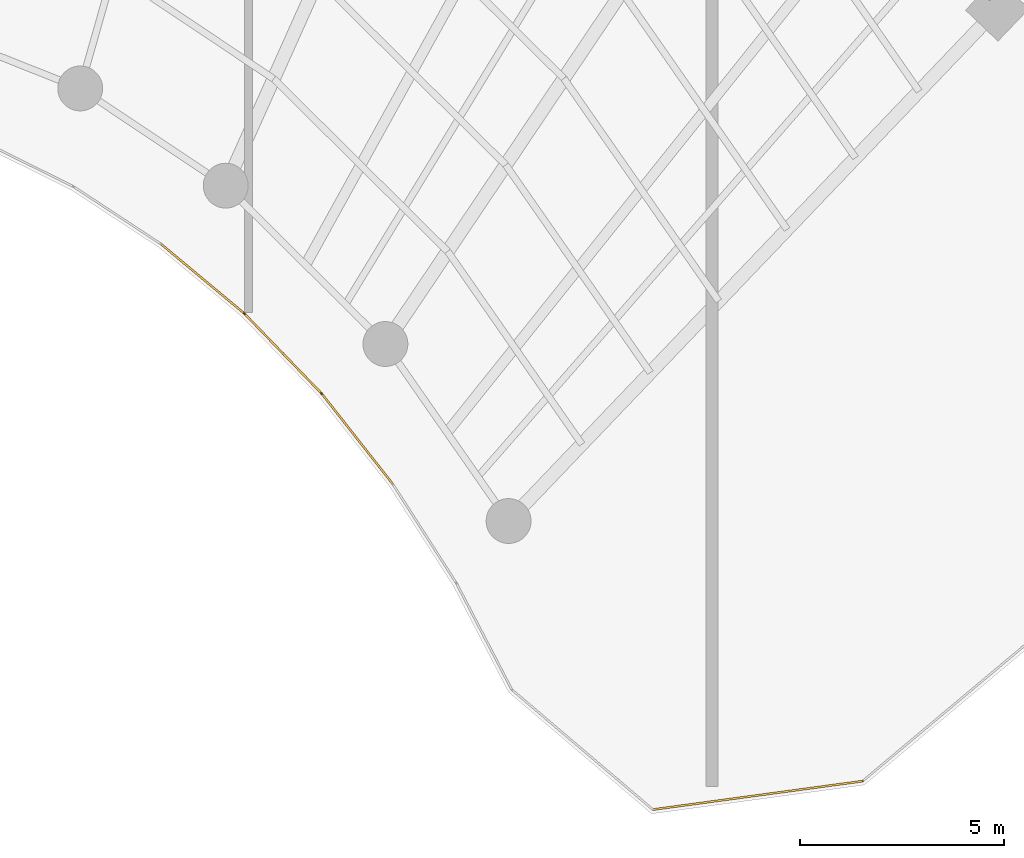
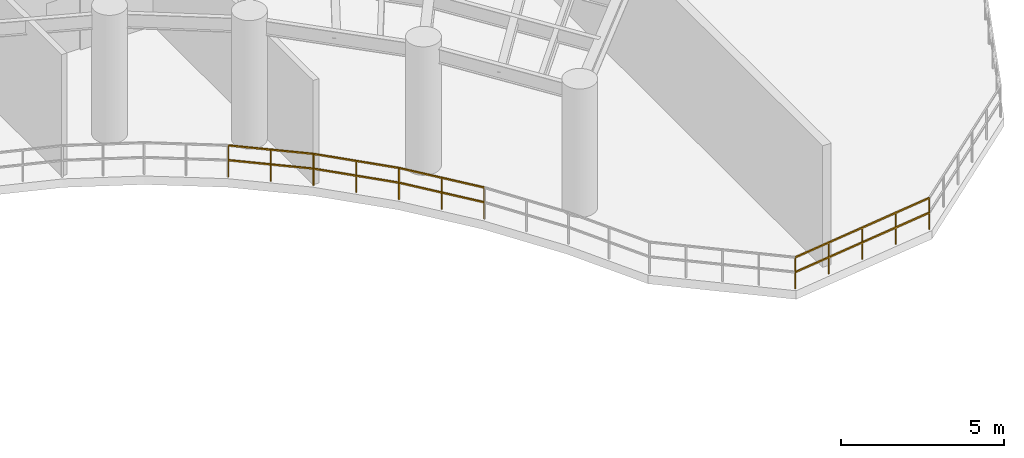
# One storey, part 15 of 19: 6 railings.
"""IFC4 building model written with IfcOpenShell, lengths in metres."""

from ifc_helpers import new_model, si_unit, direction, frame, origin, origin_2d, place, context, subcontext, project, spatial, rectangle, extrude, material, type_object, element, save


model = new_model("IFC4")

# Units and contexts
model_context = context("Model", 3, precision=1e-05, world=origin(), true_north=direction((0.0, 1.0)))
body_context = subcontext(model_context, "Body", "Model", "MODEL_VIEW")
ifc_project = project(units=[si_unit("LENGTHUNIT", "METRE"), si_unit("AREAUNIT", "SQUARE_METRE"), si_unit("VOLUMEUNIT", "CUBIC_METRE"), si_unit("PLANEANGLEUNIT", "RADIAN"), si_unit("MASSUNIT", "GRAM", prefix="KILO")], contexts=[model_context])

# Site, building, storey
site_placement = place(None, origin())
site = spatial("IfcSite", under=ifc_project, at=site_placement, CompositionType="ELEMENT")
building_placement = place(site_placement, origin())
building = spatial("IfcBuilding", under=site, at=building_placement, Name="Breltana Convention Tower", CompositionType="ELEMENT")
storey_placement = place(building_placement, frame((0.0, 0.0, 194.39990234375)))
storey = spatial("IfcBuildingStorey", under=building, at=storey_placement, Name="L47", CompositionType="ELEMENT", Elevation=194.39990234375)

# Railings
ifc_material = material(Name="Stainless Steel 316L", Category="steel")
railing_type = type_object("IfcRailingType", Name="RL-WIND-GUARD-1200", PredefinedType="BALUSTRADE", material=ifc_material)
railing_1_placement = place(storey_placement, frame((76.691650390625, 36.57861328125, 0.0)))
element("IfcRailing", 1, at=railing_1_placement, inside=storey, type_object=railing_type, Name="L47 perimeter balustrade 4", PredefinedType="BALUSTRADE", context=body_context, shape_type="SweptSolid", body=[
    extrude(rectangle(XDim=0.048095703125, YDim=0.048095703125, at=origin_2d()), frame((0.0, 0.0, 1.17578125), z_axis=(-0.990929007422, -0.134386391611, 0.0), x_axis=(0.134386391611, -0.990929007422, 0.0)), (0.0, 0.0, 1.0), 5.186767578125),
    extrude(rectangle(XDim=0.048095703125, YDim=0.048095703125, at=origin_2d()), frame((0.0, 0.0, 0.6240234375), z_axis=(-0.990929007422, -0.134386391611, 0.0), x_axis=(0.134386391611, -0.990929007422, 0.0)), (0.0, 0.0, 1.0), 5.186767578125),
    extrude(rectangle(XDim=0.0419921875, YDim=0.0419921875, at=origin_2d()), origin(), (0.0, 0.0, 1.0), 1.15185546875),
    extrude(rectangle(XDim=0.0419921875, YDim=0.0419921875, at=origin_2d()), frame((-1.284912109375, -0.17431640625, 0.0)), (0.0, 0.0, 1.0), 1.15185546875),
    extrude(rectangle(XDim=0.0419921875, YDim=0.0419921875, at=origin_2d()), frame((-2.56982421875, -0.3486328125, 0.0)), (0.0, 0.0, 1.0), 1.15185546875),
    extrude(rectangle(XDim=0.0419921875, YDim=0.0419921875, at=origin_2d()), frame((-3.854736328125, -0.522705078125, 0.0)), (0.0, 0.0, 1.0), 1.15185546875),
    extrude(rectangle(XDim=0.0419921875, YDim=0.0419921875, at=origin_2d()), frame((-5.1396484375, -0.697021484375, 0.0)), (0.0, 0.0, 1.0), 1.15185546875),
])
railing_2_placement = place(storey_placement, frame((65.169189453125, 43.870361328125, 0.0)))
element("IfcRailing", 2, at=railing_2_placement, inside=storey, type_object=railing_type, Name="L47 perimeter balustrade 10", PredefinedType="BALUSTRADE", context=body_context, shape_type="SweptSolid", body=[
    extrude(rectangle(XDim=0.048095703125, YDim=0.048095703125, at=origin_2d()), frame((0.0, 0.0, 1.17578125), z_axis=(-0.618160104834, 0.786052215054, 0.0), x_axis=(-0.786052215054, -0.618160104834, 0.0)), (0.0, 0.0, 1.0), 2.80224609375),
    extrude(rectangle(XDim=0.048095703125, YDim=0.048095703125, at=origin_2d()), frame((0.0, 0.0, 0.6240234375), z_axis=(-0.618160104834, 0.786052215054, 0.0), x_axis=(-0.786052215054, -0.618160104834, 0.0)), (0.0, 0.0, 1.0), 2.80224609375),
    extrude(rectangle(XDim=0.0419921875, YDim=0.0419921875, at=origin_2d()), origin(), (0.0, 0.0, 1.0), 1.15185546875),
    extrude(rectangle(XDim=0.0419921875, YDim=0.0419921875, at=origin_2d()), frame((-0.8662109375, 1.101318359375, 0.0)), (0.0, 0.0, 1.0), 1.15185546875),
    extrude(rectangle(XDim=0.0419921875, YDim=0.0419921875, at=origin_2d()), frame((-1.732177734375, 2.20263671875, 0.0)), (0.0, 0.0, 1.0), 1.15185546875),
])
railing_3_placement = place(storey_placement, frame((63.43701171875, 46.072998046875, 0.0)))
element("IfcRailing", 3, at=railing_3_placement, inside=storey, type_object=railing_type, Name="L47 perimeter balustrade 11", PredefinedType="BALUSTRADE", context=body_context, shape_type="SweptSolid", body=[
    extrude(rectangle(XDim=0.048095703125, YDim=0.048095703125, at=origin_2d()), frame((0.0, 0.0, 1.17578125), z_axis=(-0.658504607869, 0.752576694707, 0.0), x_axis=(-0.752576694707, -0.658504607869, 0.0)), (0.0, 0.0, 1.0), 0.010498046875),
    extrude(rectangle(XDim=0.048095703125, YDim=0.048095703125, at=origin_2d()), frame((0.0, 0.0, 0.6240234375), z_axis=(-0.658504607869, 0.752576694707, 0.0), x_axis=(-0.752576694707, -0.658504607869, 0.0)), (0.0, 0.0, 1.0), 0.010498046875),
    extrude(rectangle(XDim=0.0419921875, YDim=0.0419921875, at=origin_2d()), origin(), (0.0, 0.0, 1.0), 1.15185546875),
    extrude(rectangle(XDim=0.0419921875, YDim=0.0419921875, at=origin_2d()), frame((-0.0068359375, 0.0078125, 0.0)), (0.0, 0.0, 1.0), 1.15185546875),
])
railing_4_placement = place(storey_placement, frame((63.43017578125, 46.080810546875, 0.0)))
element("IfcRailing", 4, at=railing_4_placement, inside=storey, type_object=railing_type, Name="L47 perimeter balustrade 12", PredefinedType="BALUSTRADE", context=body_context, shape_type="SweptSolid", body=[
    extrude(rectangle(XDim=0.048095703125, YDim=0.048095703125, at=origin_2d()), frame((0.0, 0.0, 1.17578125), z_axis=(-0.694612133042, 0.719384448421, 0.0), x_axis=(-0.719384448421, -0.694612133042, 0.0)), (0.0, 0.0, 1.0), 2.719970703125),
    extrude(rectangle(XDim=0.048095703125, YDim=0.048095703125, at=origin_2d()), frame((0.0, 0.0, 0.6240234375), z_axis=(-0.694612133042, 0.719384448421, 0.0), x_axis=(-0.719384448421, -0.694612133042, 0.0)), (0.0, 0.0, 1.0), 2.719970703125),
    extrude(rectangle(XDim=0.0419921875, YDim=0.0419921875, at=origin_2d()), origin(), (0.0, 0.0, 1.0), 1.15185546875),
    extrude(rectangle(XDim=0.0419921875, YDim=0.0419921875, at=origin_2d()), frame((-0.94482421875, 0.978515625, 0.0)), (0.0, 0.0, 1.0), 1.15185546875),
    extrude(rectangle(XDim=0.0419921875, YDim=0.0419921875, at=origin_2d()), frame((-1.889404296875, 1.956787109375, 0.0)), (0.0, 0.0, 1.0), 1.15185546875),
])
railing_5_placement = place(storey_placement, frame((61.540771484375, 48.03759765625, 0.0)))
element("IfcRailing", 5, at=railing_5_placement, inside=storey, type_object=railing_type, Name="L47 perimeter balustrade 13", PredefinedType="BALUSTRADE", context=body_context, shape_type="SweptSolid", body=[
    extrude(rectangle(XDim=0.048095703125, YDim=0.048095703125, at=origin_2d()), frame((0.0, 0.0, 1.17578125), z_axis=(-0.72953720414, 0.683941128881, 0.0), x_axis=(-0.683941128881, -0.72953720414, 0.0)), (0.0, 0.0, 1.0), 0.0107421875),
    extrude(rectangle(XDim=0.048095703125, YDim=0.048095703125, at=origin_2d()), frame((0.0, 0.0, 0.6240234375), z_axis=(-0.72953720414, 0.683941128881, 0.0), x_axis=(-0.683941128881, -0.72953720414, 0.0)), (0.0, 0.0, 1.0), 0.0107421875),
    extrude(rectangle(XDim=0.0419921875, YDim=0.0419921875, at=origin_2d()), origin(), (0.0, 0.0, 1.0), 1.15185546875),
    extrude(rectangle(XDim=0.0419921875, YDim=0.0419921875, at=origin_2d()), frame((-0.0078125, 0.00732421875, 0.0)), (0.0, 0.0, 1.0), 1.15185546875),
])
railing_6_placement = place(storey_placement, frame((61.532958984375, 48.044921875, 0.0)))
element("IfcRailing", 6, at=railing_6_placement, inside=storey, type_object=railing_type, Name="L47 perimeter balustrade 14", PredefinedType="BALUSTRADE", context=body_context, shape_type="SweptSolid", body=[
    extrude(rectangle(XDim=0.048095703125, YDim=0.048095703125, at=origin_2d()), frame((0.0, 0.0, 1.17578125), z_axis=(-0.76794831999, 0.640511809278, 0.0), x_axis=(-0.640511809278, -0.76794831999, 0.0)), (0.0, 0.0, 1.0), 2.639892578125),
    extrude(rectangle(XDim=0.048095703125, YDim=0.048095703125, at=origin_2d()), frame((0.0, 0.0, 0.6240234375), z_axis=(-0.76794831999, 0.640511809278, 0.0), x_axis=(-0.640511809278, -0.76794831999, 0.0)), (0.0, 0.0, 1.0), 2.639892578125),
    extrude(rectangle(XDim=0.0419921875, YDim=0.0419921875, at=origin_2d()), origin(), (0.0, 0.0, 1.0), 1.15185546875),
    extrude(rectangle(XDim=0.0419921875, YDim=0.0419921875, at=origin_2d()), frame((-1.013671875, 0.845458984375, 0.0)), (0.0, 0.0, 1.0), 1.15185546875),
    extrude(rectangle(XDim=0.0419921875, YDim=0.0419921875, at=origin_2d()), frame((-2.02734375, 1.69091796875, 0.0)), (0.0, 0.0, 1.0), 1.15185546875),
])

save(model, "model.ifc")
